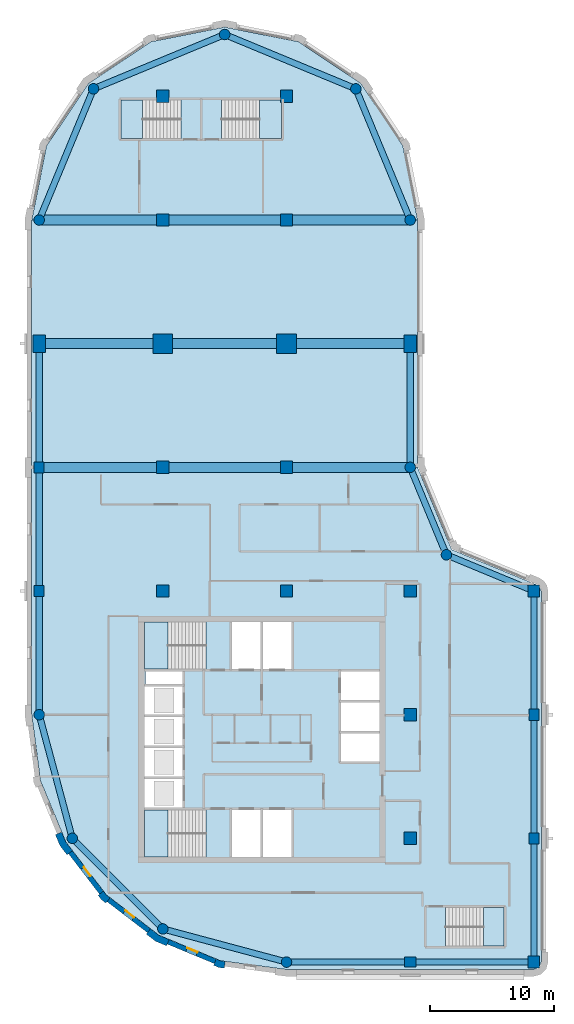
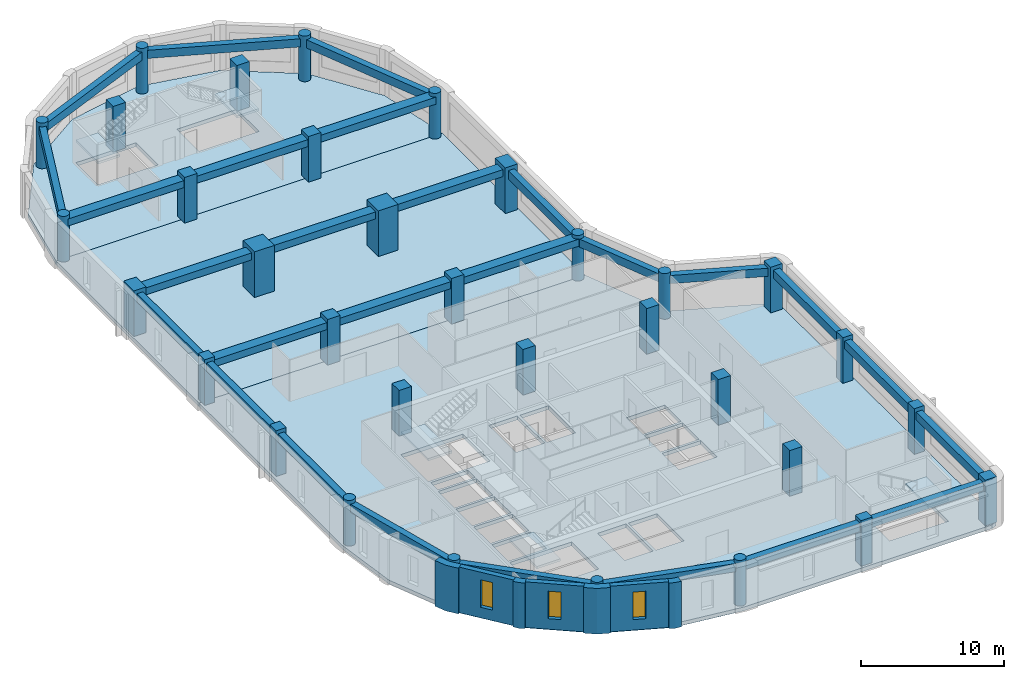
# One storey, part 1 of 8: 33 columns, 27 beams, 8 slabs, 7 walls, 3 windows, 3 openings, 5 elements without a shape of their own.
"""IFC4 building model written with IfcOpenShell, lengths in metres."""

from ifc_helpers import new_model, si_unit, direction, frame, frame_2d, origin, origin_2d, place, context, subcontext, project, spatial, polyline, rectangle, circle, outline, extrude, material, layer, layer_set, material_profile, profile_set, type_object, element, fill, aggregate, save


model = new_model("IFC4")

# Units and contexts
model_context = context("Model", 3, precision=1e-05, world=origin(), true_north=direction((0.0, 1.0)))
body_context = subcontext(model_context, "Body", "Model", "MODEL_VIEW")
ifc_project = project(units=[si_unit("LENGTHUNIT", "METRE"), si_unit("AREAUNIT", "SQUARE_METRE"), si_unit("VOLUMEUNIT", "CUBIC_METRE"), si_unit("PLANEANGLEUNIT", "RADIAN"), si_unit("MASSUNIT", "GRAM", prefix="KILO")], contexts=[model_context])

# Site, building, storey
site_placement = place(None, origin())
site = spatial("IfcSite", under=ifc_project, at=site_placement, CompositionType="ELEMENT")
building_placement = place(site_placement, origin())
building = spatial("IfcBuilding", under=site, at=building_placement, Name="Qaws Garden Tower", CompositionType="ELEMENT")
storey_placement = place(building_placement, frame((0.0, 0.0, 313.800048828125)))
storey = spatial("IfcBuildingStorey", under=building, at=storey_placement, Name="L76", CompositionType="ELEMENT", Elevation=313.800048828125)

# Columns
ifc_material_1 = material(Name="Concrete C60", Category="concrete")
ifc_material_profile_1 = material_profile(ifc_material_1, rectangle(XDim=1.0, YDim=1.0, at=origin_2d()), Name="RC 1000x1000")
ifc_profile_set_1 = profile_set([ifc_material_profile_1], Name="Concrete C60")
column_type_1 = type_object("IfcColumnType", Name="Column RC 1000x1000 C60", PredefinedType="COLUMN", material=ifc_profile_set_1)
for number, where, z_axis, x_axis, name in (
    (1, (10.0, 30.0, 0.0), (0.0, 0.0, 1.0), (1.0, 0.0, 0.0), "Column L76-021"),
    (2, (10.0, 40.0, 0.0), (0.0, 0.0, 1.0), (1.0, 0.0, 0.0), "Column L76-022"),
    (3, (10.0, 60.0, 0.0), (0.0, 0.0, 1.0), (1.0, 0.0, 0.0), "Column L76-024"),
    (4, (10.0, 70.0, 0.0), (0.0, 0.0, 1.0), (1.0, 0.0, 0.0), "Column L76-025"),
    (5, (20.0, 30.0, 0.0), (0.0, 0.0, 1.0), (1.0, 0.0, 0.0), "Column L76-026"),
    (6, (20.0, 40.0, 0.0), (0.0, 0.0, 1.0), (1.0, 0.0, 0.0), "Column L76-027"),
    (7, (20.0, 60.0, 0.0), (0.0, 0.0, 1.0), (1.0, 0.0, 0.0), "Column L76-029"),
    (8, (20.0, 70.0, 0.0), (0.0, 0.0, 1.0), (1.0, 0.0, 0.0), "Column L76-030"),
    (9, (30.0, 10.0, 0.0), (0.0, 0.0, 1.0), (1.0, 0.0, 0.0), "Column L76-031"),
    (10, (30.0, 20.0, 0.0), (0.0, 0.0, 1.0), (1.0, 0.0, 0.0), "Column L76-032"),
    (11, (30.0, 30.0, 0.0), (0.0, 0.0, 1.0), (1.0, 0.0, 0.0), "Column L76-033"),
):
    element("IfcColumn", number, at=place(storey_placement, frame(where, z_axis=z_axis, x_axis=x_axis)), inside=storey, type_object=column_type_1, Name=name, PredefinedType="COLUMN", context=body_context, shape_type="SweptSolid", body=[
        extrude(rectangle(XDim=1.0, YDim=1.0, at=origin_2d()), origin(), (0.0, 0.0, 1.0), 3.89990234375),
    ])
ifc_material_2 = material(Name="Concrete C60", Category="concrete")
ifc_material_profile_2 = material_profile(ifc_material_2, rectangle(XDim=1.39990234375, YDim=1.0, at=origin_2d()), Name="RC 1400x1000")
ifc_profile_set_2 = profile_set([ifc_material_profile_2], Name="Concrete C60")
column_type_2 = type_object("IfcColumnType", Name="Column RC 1400x1000 C60", PredefinedType="COLUMN", material=ifc_profile_set_2)
for number, where, z_axis, x_axis, name in (
    (12, (30.0, 50.0, 0.0), (0.0, 0.0, 1.0), (0.0, 1.0, 0.0), "Column L76-009"),
    (13, (0.0, 50.0, 0.0), (0.0, 0.0, 1.0), (0.0, 1.0, 0.0), "Column L76-015"),
):
    element("IfcColumn", number, at=place(storey_placement, frame(where, z_axis=z_axis, x_axis=x_axis)), inside=storey, type_object=column_type_2, Name=name, PredefinedType="COLUMN", context=body_context, shape_type="SweptSolid", body=[
        extrude(rectangle(XDim=1.39990234375, YDim=1.0, at=origin_2d()), origin(), (0.0, 0.0, 1.0), 3.89990234375),
    ])
ifc_material_3 = material(Name="Concrete C60", Category="concrete")
ifc_material_profile_3 = material_profile(ifc_material_3, rectangle(XDim=1.60009765625, YDim=1.60009765625, at=origin_2d()), Name="RC 1600x1600")
ifc_profile_set_3 = profile_set([ifc_material_profile_3], Name="Concrete C60")
column_type_3 = type_object("IfcColumnType", Name="Column RC 1600x1600 C60", PredefinedType="COLUMN", material=ifc_profile_set_3)
for number, where, z_axis, x_axis, name in (
    (14, (10.0, 50.0, 0.0), (0.0, 0.0, 1.0), (1.0, 0.0, 0.0), "Column L76-023"),
    (15, (20.0, 50.0, 0.0), (0.0, 0.0, 1.0), (1.0, 0.0, 0.0), "Column L76-028"),
):
    element("IfcColumn", number, at=place(storey_placement, frame(where, z_axis=z_axis, x_axis=x_axis)), inside=storey, type_object=column_type_3, Name=name, PredefinedType="COLUMN", context=body_context, shape_type="SweptSolid", body=[
        extrude(rectangle(XDim=1.60009765625, YDim=1.60009765625, at=origin_2d()), origin(), (0.0, 0.0, 1.0), 3.89990234375),
    ])
ifc_material_4 = material(Name="Concrete C60", Category="concrete")
ifc_material_profile_4 = material_profile(ifc_material_4, rectangle(XDim=0.89990234375, YDim=0.800048828125, at=origin_2d()), Name="RC 900x800")
ifc_profile_set_4 = profile_set([ifc_material_profile_4], Name="Concrete C60")
column_type_4 = type_object("IfcColumnType", Name="Column RC 900x800 C60", PredefinedType="COLUMN", material=ifc_profile_set_4)
for number, where, z_axis, x_axis, name in (
    (16, (30.0, 0.0, 0.0), (0.0, 0.0, 1.0), (1.0, 0.0, 0.0), "Column L76-002"),
    (17, (40.0, 10.0, 0.0), (0.0, 0.0, 1.0), (0.0, 1.0, 0.0), "Column L76-004"),
    (18, (40.0, 20.0, 0.0), (0.0, 0.0, 1.0), (0.0, 1.0, 0.0), "Column L76-005"),
    (19, (0.0, 40.0, 0.0), (0.0, 0.0, 1.0), (0.0, 1.0, 0.0), "Column L76-016"),
    (20, (0.0, 30.0, 0.0), (0.0, 0.0, 1.0), (0.0, 1.0, 0.0), "Column L76-017"),
):
    element("IfcColumn", number, at=place(storey_placement, frame(where, z_axis=z_axis, x_axis=x_axis)), inside=storey, type_object=column_type_4, Name=name, PredefinedType="COLUMN", context=body_context, shape_type="SweptSolid", body=[
        extrude(rectangle(XDim=0.89990234375, YDim=0.800048828125, at=origin_2d()), origin(), (0.0, 0.0, 1.0), 3.89990234375),
    ])
ifc_material_5 = material(Name="Concrete C60", Category="concrete")
ifc_material_profile_5 = material_profile(ifc_material_5, rectangle(XDim=0.949951171875, YDim=0.949951171875, at=origin_2d()), Name="RC 950x950")
ifc_profile_set_5 = profile_set([ifc_material_profile_5], Name="Concrete C60")
column_type_5 = type_object("IfcColumnType", Name="Column RC 950x950 C60", PredefinedType="COLUMN", material=ifc_profile_set_5)
for number, where, z_axis, x_axis, name in (
    (21, (40.0, 0.0, 0.0), (0.0, 0.0, 1.0), (1.0, 0.0, 0.0), "Column L76-003"),
    (22, (40.0, 30.0, 0.0), (0.0, 0.0, 1.0), (1.0, 0.0, 0.0), "Column L76-006"),
):
    element("IfcColumn", number, at=place(storey_placement, frame(where, z_axis=z_axis, x_axis=x_axis)), inside=storey, type_object=column_type_5, Name=name, PredefinedType="COLUMN", context=body_context, shape_type="SweptSolid", body=[
        extrude(rectangle(XDim=0.949951171875, YDim=0.949951171875, at=origin_2d()), origin(), (0.0, 0.0, 1.0), 3.89990234375),
    ])
ifc_material_6 = material(Name="Concrete C60", Category="concrete")
ifc_material_profile_6 = material_profile(ifc_material_6, circle(Radius=0.425048828125, at=origin_2d()), Name="RC D850")
ifc_profile_set_6 = profile_set([ifc_material_profile_6], Name="Concrete C60")
column_type_6 = type_object("IfcColumnType", Name="Column RC D850 C60", PredefinedType="COLUMN", material=ifc_profile_set_6)
for number, where, z_axis, x_axis, name in (
    (23, (20.0, 0.0, 0.0), (0.0, 0.0, 1.0), (1.0, 0.0, 0.0), "Column L76-001"),
    (24, (32.928955078125, 32.928955078125, 0.0), (0.0, 0.0, 1.0), (1.0, 0.0, 0.0), "Column L76-007"),
    (25, (30.0, 40.0, 0.0), (0.0, 0.0, 1.0), (1.0, 0.0, 0.0), "Column L76-008"),
    (26, (30.0, 60.0, 0.0), (0.0, 0.0, 1.0), (1.0, 0.0, 0.0), "Column L76-010"),
    (27, (25.606689453125, 70.606689453125, 0.0), (0.0, 0.0, 1.0), (1.0, 0.0, 0.0), "Column L76-011"),
    (28, (15.0, 75.0, 0.0), (0.0, 0.0, 1.0), (1.0, 0.0, 0.0), "Column L76-012"),
    (29, (4.393310546875, 70.606689453125, 0.0), (0.0, 0.0, 1.0), (1.0, 0.0, 0.0), "Column L76-013"),
    (30, (0.0, 60.0, 0.0), (0.0, 0.0, 1.0), (1.0, 0.0, 0.0), "Column L76-014"),
    (31, (0.0, 20.0, 0.0), (0.0, 0.0, 1.0), (1.0, 0.0, 0.0), "Column L76-018"),
    (32, (2.679443359375, 10.0, 0.0), (0.0, 0.0, 1.0), (1.0, 0.0, 0.0), "Column L76-019"),
    (33, (10.0, 2.679443359375, 0.0), (0.0, 0.0, 1.0), (1.0, 0.0, 0.0), "Column L76-020"),
):
    element("IfcColumn", number, at=place(storey_placement, frame(where, z_axis=z_axis, x_axis=x_axis)), inside=storey, type_object=column_type_6, Name=name, PredefinedType="COLUMN", context=body_context, shape_type="SweptSolid", body=[
        extrude(circle(Radius=0.425048828125, at=origin_2d()), origin(), (0.0, 0.0, 1.0), 3.89990234375),
    ])

# Beams
ifc_material_7 = material(Name="Concrete C45", Category="concrete")
ifc_material_profile_7 = material_profile(ifc_material_7, rectangle(XDim=0.800048828125, YDim=0.60009765625, at=origin_2d()), Name="RC 800x600")
ifc_profile_set_7 = profile_set([ifc_material_profile_7], Name="Concrete C45")
beam_type_1 = type_object("IfcBeamType", Name="Portal edge beam RC 800x600 C45", PredefinedType="BEAM", material=ifc_profile_set_7)
for number, where, z_axis, x_axis, name in (
    (34, (0.0, 40.0, 3.280029296875), (1.0, 0.0, 0.0), (0.0, 1.0, 0.0), "Portal edge beam L76-1"),
    (35, (10.0, 40.0, 3.280029296875), (1.0, 0.0, 0.0), (0.0, 1.0, 0.0), "Portal edge beam L76-2"),
    (36, (20.0, 40.0, 3.280029296875), (1.0, 0.0, 0.0), (0.0, 1.0, 0.0), "Portal edge beam L76-3"),
    (37, (0.0, 50.0, 3.280029296875), (1.0, 0.0, 0.0), (0.0, 1.0, 0.0), "Portal tie beam L76-4"),
    (38, (10.0, 50.0, 3.280029296875), (1.0, 0.0, 0.0), (0.0, 1.0, 0.0), "Portal tie beam L76-5"),
    (39, (20.0, 50.0, 3.280029296875), (1.0, 0.0, 0.0), (0.0, 1.0, 0.0), "Portal tie beam L76-6"),
    (40, (0.0, 60.0, 3.280029296875), (1.0, 0.0, 0.0), (0.0, 1.0, 0.0), "Portal edge beam L76-7"),
    (41, (10.0, 60.0, 3.280029296875), (1.0, 0.0, 0.0), (0.0, 1.0, 0.0), "Portal edge beam L76-8"),
    (42, (20.0, 60.0, 3.280029296875), (1.0, 0.0, 0.0), (0.0, 1.0, 0.0), "Portal edge beam L76-9"),
):
    element("IfcBeam", number, at=place(storey_placement, frame(where, z_axis=z_axis, x_axis=x_axis)), inside=storey, type_object=beam_type_1, Name=name, PredefinedType="BEAM", context=body_context, shape_type="SweptSolid", body=[
        extrude(rectangle(XDim=0.800048828125, YDim=0.60009765625, at=origin_2d()), origin(), (0.0, 0.0, 1.0), 10.0),
    ])
ifc_material_8 = material(Name="Concrete C45", Category="concrete")
ifc_material_profile_8 = material_profile(ifc_material_8, rectangle(XDim=0.5, YDim=0.699951171875, at=origin_2d()), Name="RC 500x700")
ifc_profile_set_8 = profile_set([ifc_material_profile_8], Name="Concrete C45")
beam_type_2 = type_object("IfcBeamType", Name="Spandrel beam RC 500x700 C45", PredefinedType="SPANDREL", material=ifc_profile_set_8)
for number, where, z_axis, x_axis, name in (
    (43, (20.0, 0.0, 3.22998046875), (1.0, 0.0, 0.0), (0.0, 1.0, 0.0), "Spandrel beam L76-001"),
    (44, (30.0, 0.0, 3.22998046875), (1.0, 0.0, 0.0), (0.0, 1.0, 0.0), "Spandrel beam L76-002"),
    (45, (40.0, 0.0, 3.22998046875), (0.0, 1.0, 0.0), (-1.0, 0.0, 0.0), "Spandrel beam L76-003"),
    (46, (40.0, 10.0, 3.22998046875), (0.0, 1.0, 0.0), (-1.0, 0.0, 0.0), "Spandrel beam L76-004"),
    (47, (40.0, 20.0, 3.22998046875), (0.0, 1.0, 0.0), (-1.0, 0.0, 0.0), "Spandrel beam L76-005"),
):
    element("IfcBeam", number, at=place(storey_placement, frame(where, z_axis=z_axis, x_axis=x_axis)), inside=storey, type_object=beam_type_2, Name=name, PredefinedType="SPANDREL", context=body_context, shape_type="SweptSolid", body=[
        extrude(rectangle(XDim=0.5, YDim=0.699951171875, at=origin_2d()), origin(), (0.0, 0.0, 1.0), 10.0),
    ])
for number, where, z_axis, x_axis, name in (
    (48, (40.0, 30.0, 3.22998046875), (-0.923878037141, 0.382687042488, 0.0), (-0.382687042488, -0.923878037141, 0.0), "Spandrel beam L76-006"),
    (49, (32.928955078125, 32.928955078125, 3.22998046875), (-0.382687042488, 0.923878037141, 0.0), (-0.923878037141, -0.382687042488, 0.0), "Spandrel beam L76-007"),
):
    element("IfcBeam", number, at=place(storey_placement, frame(where, z_axis=z_axis, x_axis=x_axis)), inside=storey, type_object=beam_type_2, Name=name, PredefinedType="SPANDREL", context=body_context, shape_type="SweptSolid", body=[
        extrude(rectangle(XDim=0.5, YDim=0.699951171875, at=origin_2d()), origin(), (0.0, 0.0, 1.0), 7.653564453125),
    ])
beam_placement = place(storey_placement, frame((30.0, 40.0, 3.22998046875), z_axis=(0.0, 1.0, 0.0), x_axis=(-1.0, 0.0, 0.0)))
element("IfcBeam", 50, at=beam_placement, inside=storey, type_object=beam_type_2, Name="Spandrel beam L76-008", PredefinedType="SPANDREL", context=body_context, shape_type="SweptSolid", body=[
    extrude(rectangle(XDim=0.5, YDim=0.699951171875, at=origin_2d()), origin(), (0.0, 0.0, 1.0), 10.0),
])
for number, where, z_axis, x_axis, name in (
    (51, (30.0, 60.0, 3.22998046875), (-0.382674207535, 0.923883353507, 0.0), (-0.923883353507, -0.382674207535, 0.0), "Spandrel beam L76-009"),
    (52, (25.606689453125, 70.606689453125, 3.22998046875), (-0.923883353507, 0.382674207535, 0.0), (-0.382674207535, -0.923883353507, 0.0), "Spandrel beam L76-010"),
    (53, (15.0, 75.0, 3.22998046875), (-0.923883353507, -0.382674207535, 0.0), (0.382674207535, -0.923883353507, 0.0), "Spandrel beam L76-011"),
    (54, (4.393310546875, 70.606689453125, 3.22998046875), (-0.382674207535, -0.923883353507, 0.0), (0.923883353507, -0.382674207535, 0.0), "Spandrel beam L76-012"),
):
    element("IfcBeam", number, at=place(storey_placement, frame(where, z_axis=z_axis, x_axis=x_axis)), inside=storey, type_object=beam_type_2, Name=name, PredefinedType="SPANDREL", context=body_context, shape_type="SweptSolid", body=[
        extrude(rectangle(XDim=0.5, YDim=0.699951171875, at=origin_2d()), origin(), (0.0, 0.0, 1.0), 11.48046875),
    ])
for number, where, z_axis, x_axis, name in (
    (55, (0.0, 50.0, 3.22998046875), (0.0, -1.0, 0.0), (1.0, 0.0, 0.0), "Spandrel beam L76-013"),
    (56, (0.0, 40.0, 3.22998046875), (0.0, -1.0, 0.0), (1.0, 0.0, 0.0), "Spandrel beam L76-014"),
    (57, (0.0, 30.0, 3.22998046875), (0.0, -1.0, 0.0), (1.0, 0.0, 0.0), "Spandrel beam L76-015"),
):
    element("IfcBeam", number, at=place(storey_placement, frame(where, z_axis=z_axis, x_axis=x_axis)), inside=storey, type_object=beam_type_2, Name=name, PredefinedType="SPANDREL", context=body_context, shape_type="SweptSolid", body=[
        extrude(rectangle(XDim=0.5, YDim=0.699951171875, at=origin_2d()), origin(), (0.0, 0.0, 1.0), 10.0),
    ])
for number, where, z_axis, x_axis, name in (
    (58, (0.0, 20.0, 3.22998046875), (0.25881466832, -0.965926999034, 0.0), (0.965926999034, 0.25881466832, 0.0), "Spandrel beam L76-016"),
    (59, (2.679443359375, 10.0, 3.22998046875), (0.707106781187, -0.707106781187, 0.0), (0.707106781187, 0.707106781187, 0.0), "Spandrel beam L76-017"),
    (60, (10.0, 2.679443359375, 3.22998046875), (0.965926999034, -0.25881466832, 0.0), (0.25881466832, 0.965926999034, 0.0), "Spandrel beam L76-018"),
):
    element("IfcBeam", number, at=place(storey_placement, frame(where, z_axis=z_axis, x_axis=x_axis)), inside=storey, type_object=beam_type_2, Name=name, PredefinedType="SPANDREL", context=body_context, shape_type="SweptSolid", body=[
        extrude(rectangle(XDim=0.5, YDim=0.699951171875, at=origin_2d()), origin(), (0.0, 0.0, 1.0), 10.352783203125),
    ])

# Slabs
ifc_material_9 = material(Name="Concrete C40", Category="concrete")
ifc_layer_1 = layer(ifc_material_9, 0.320068359375)
ifc_layer_set_1 = layer_set([ifc_layer_1], Name="Concrete C40")
slab_type_1 = type_object("IfcSlabType", Name="Floor slab 320 C40", PredefinedType="FLOOR", material=ifc_layer_set_1)
placement_1 = place(storey_placement, frame((0.0, 0.0, -0.320068359375)))
element("IfcSlab", 61, at=placement_1, inside=storey, type_object=slab_type_1, Name="Floor slab L76", PredefinedType="FLOOR", context=body_context, shape_type="SweptSolid", body=[
    extrude(outline(polyline([(-0.60009765625, 20.0), (-0.60009765625, 30.60009765625), (-0.60009765625, 40.0), (30.60009765625, 40.0), (33.353271484375, 33.353271484375), (40.0, 30.60009765625), (40.42431640625, 30.42431640625), (40.60009765625, 30.0), (40.60009765625, 0.0), (40.42431640625, -0.42431640625), (40.0, -0.60009765625), (30.60009765625, -0.60009765625), (20.0, -0.60009765625), (14.668212890625, 0.101806640625), (9.699951171875, 2.159912109375), (5.43359375, 5.43359375), (2.159912109375, 9.699951171875), (0.101806640625, 14.668212890625), (-0.60009765625, 20.0)]), holes=[polyline([(13.49951171875, 12.300048828125), (8.5, 12.300048828125), (8.5, 8.5), (13.49951171875, 8.5), (13.49951171875, 12.300048828125)]), polyline([(17.89990234375, 12.300048828125), (15.60009765625, 12.300048828125), (15.60009765625, 8.5), (17.89990234375, 8.5), (17.89990234375, 12.300048828125)]), polyline([(11.60009765625, 14.800048828125), (8.5, 14.800048828125), (8.5, 12.5), (11.60009765625, 12.5), (11.60009765625, 14.800048828125)]), polyline([(11.60009765625, 17.300048828125), (8.5, 17.300048828125), (8.5, 15.0), (11.60009765625, 15.0), (11.60009765625, 17.300048828125)]), polyline([(11.60009765625, 19.800048828125), (8.5, 19.800048828125), (8.5, 17.5), (11.60009765625, 17.5), (11.60009765625, 19.800048828125)]), polyline([(11.60009765625, 22.300048828125), (8.5, 22.300048828125), (8.5, 20.0), (11.60009765625, 20.0), (11.60009765625, 22.300048828125)]), polyline([(11.60009765625, 23.5), (8.60009765625, 23.5), (8.60009765625, 22.5), (11.60009765625, 22.5), (11.60009765625, 23.5)]), polyline([(13.49951171875, 27.5), (8.5, 27.5), (8.5, 23.699951171875), (13.49951171875, 23.699951171875), (13.49951171875, 27.5)]), polyline([(37.60009765625, 4.39990234375), (32.8505859375, 4.39990234375), (32.8505859375, 1.300048828125), (37.60009765625, 1.300048828125), (37.60009765625, 4.39990234375)]), polyline([(20.39990234375, 12.300048828125), (18.10009765625, 12.300048828125), (18.10009765625, 8.5), (20.39990234375, 8.5), (20.39990234375, 12.300048828125)]), polyline([(27.5, 18.5), (24.39990234375, 18.5), (24.39990234375, 16.199951171875), (27.5, 16.199951171875), (27.5, 18.5)]), polyline([(27.5, 21.0), (24.39990234375, 21.0), (24.39990234375, 18.699951171875), (27.5, 18.699951171875), (27.5, 21.0)]), polyline([(27.5, 23.5), (24.39990234375, 23.5), (24.39990234375, 21.199951171875), (27.5, 21.199951171875), (27.5, 23.5)]), polyline([(17.89990234375, 27.5), (15.60009765625, 27.5), (15.60009765625, 23.699951171875), (17.89990234375, 23.699951171875), (17.89990234375, 27.5)]), polyline([(20.39990234375, 23.699951171875), (20.39990234375, 27.5), (18.10009765625, 27.5), (18.10009765625, 23.699951171875), (20.39990234375, 23.699951171875)])]), origin(), (0.0, 0.0, 1.0), 0.320068359375),
])
element("IfcSlab", 62, at=placement_1, inside=storey, type_object=slab_type_1, Name="Floor slab L76", PredefinedType="FLOOR", context=body_context, shape_type="SweptSolid", body=[
    extrude(outline(polyline([(3.968994140625, 71.031005859375), (9.030029296875, 74.41259765625), (15.0, 75.60009765625), (20.969970703125, 74.41259765625), (26.031005859375, 71.031005859375), (29.41259765625, 65.969970703125), (30.60009765625, 60.0), (-0.60009765625, 60.0), (0.58740234375, 65.969970703125), (3.968994140625, 71.031005859375)]), holes=[polyline([(11.449462890625, 69.699951171875), (6.60009765625, 69.699951171875), (6.60009765625, 66.60009765625), (11.449462890625, 66.60009765625), (11.449462890625, 69.699951171875)]), polyline([(19.60009765625, 66.60009765625), (19.60009765625, 69.699951171875), (14.75048828125, 69.699951171875), (14.75048828125, 66.60009765625), (19.60009765625, 66.60009765625)])]), origin(), (0.0, 0.0, 1.0), 0.320068359375),
])

# Stair, slab
ifc_material_10 = material(Name="Concrete C40", Category="concrete")
stair_type_1 = type_object("IfcStairType", Name="Exit stair 1500", PredefinedType="HALF_TURN_STAIR", material=ifc_material_10)
placement_2 = place(storey_placement, origin())
stair_1 = element("IfcStair", 63, at=placement_2, inside=storey, type_object=stair_type_1, Name="Stair 1", PredefinedType="HALF_TURN_STAIR")
ifc_material_11 = material(Name="Concrete C40", Category="concrete")
ifc_layer_2 = layer(ifc_material_11, 0.199951171875)
ifc_layer_set_2 = layer_set([ifc_layer_2], Name="Concrete C40")
slab_type_2 = type_object("IfcSlabType", Name="Stair landing 200", PredefinedType="LANDING", material=ifc_layer_set_2)
placement_3 = place(storey_placement, frame((0.0, 0.0, 1.75)))
slab_3 = element("IfcSlab", 64, at=placement_3, type_object=slab_type_2, Name="ST1 landing 1", PredefinedType="LANDING", context=body_context, shape_type="SweptSolid", body=[
    extrude(outline(polyline([(8.5, 8.5), (10.419921875, 8.5), (10.419921875, 12.300048828125), (8.5, 12.300048828125), (8.5, 8.5)])), origin(), (0.0, 0.0, 1.0), 0.199951171875),
])
aggregate(stair_1, [slab_3])

stair_2 = element("IfcStair", 65, at=placement_2, inside=storey, type_object=stair_type_1, Name="Stair 4", PredefinedType="HALF_TURN_STAIR")
slab_4 = element("IfcSlab", 66, at=placement_3, type_object=slab_type_2, Name="ST4 landing 1", PredefinedType="LANDING", context=body_context, shape_type="SweptSolid", body=[
    extrude(outline(polyline([(8.5, 23.699951171875), (10.419921875, 23.699951171875), (10.419921875, 27.5), (8.5, 27.5), (8.5, 23.699951171875)])), origin(), (0.0, 0.0, 1.0), 0.199951171875),
])
aggregate(stair_2, [slab_4])

ifc_material_12 = material(Name="Concrete C40", Category="concrete")
stair_type_2 = type_object("IfcStairType", Name="Exit stair 1350", PredefinedType="HALF_TURN_STAIR", material=ifc_material_12)
stair_3 = element("IfcStair", 67, at=placement_2, inside=storey, type_object=stair_type_2, Name="Stair 5", PredefinedType="HALF_TURN_STAIR")
slab_5 = element("IfcSlab", 68, at=placement_3, type_object=slab_type_2, Name="ST5 landing 1", PredefinedType="LANDING", context=body_context, shape_type="SweptSolid", body=[
    extrude(outline(polyline([(35.929931640625, 1.300048828125), (37.60009765625, 1.300048828125), (37.60009765625, 4.39990234375), (35.929931640625, 4.39990234375), (35.929931640625, 1.300048828125)])), origin(), (0.0, 0.0, 1.0), 0.199951171875),
])
aggregate(stair_3, [slab_5])

stair_4 = element("IfcStair", 69, at=placement_2, inside=storey, type_object=stair_type_2, Name="Stair 6", PredefinedType="HALF_TURN_STAIR")
slab_6 = element("IfcSlab", 70, at=placement_3, type_object=slab_type_2, Name="ST6 landing 1", PredefinedType="LANDING", context=body_context, shape_type="SweptSolid", body=[
    extrude(outline(polyline([(6.60009765625, 66.60009765625), (8.3701171875, 66.60009765625), (8.3701171875, 69.699951171875), (6.60009765625, 69.699951171875), (6.60009765625, 66.60009765625)])), origin(), (0.0, 0.0, 1.0), 0.199951171875),
])
aggregate(stair_4, [slab_6])

stair_5 = element("IfcStair", 71, at=placement_2, inside=storey, type_object=stair_type_2, Name="Stair 7", PredefinedType="HALF_TURN_STAIR")
slab_7 = element("IfcSlab", 72, at=placement_3, type_object=slab_type_2, Name="ST7 landing 1", PredefinedType="LANDING", context=body_context, shape_type="SweptSolid", body=[
    extrude(outline(polyline([(17.830078125, 66.60009765625), (19.60009765625, 66.60009765625), (19.60009765625, 69.699951171875), (17.830078125, 69.699951171875), (17.830078125, 66.60009765625)])), origin(), (0.0, 0.0, 1.0), 0.199951171875),
])
aggregate(stair_5, [slab_7])

# Slab
ifc_material_13 = material(Name="Concrete C40", Category="concrete")
ifc_layer_3 = layer(ifc_material_13, 0.320068359375)
ifc_layer_set_3 = layer_set([ifc_layer_3], Name="Concrete C40")
slab_type_3 = type_object("IfcSlabType", Name="Terrace slab 320 C40", PredefinedType="FLOOR", material=ifc_layer_set_3)
element("IfcSlab", 73, at=placement_1, inside=storey, type_object=slab_type_3, Name="Portal terrace slab L76", PredefinedType="FLOOR", context=body_context, shape_type="SweptSolid", body=[
    extrude(outline(polyline([(-0.60009765625, 60.0), (-0.60009765625, 60.0), (30.60009765625, 60.0), (30.60009765625, 40.0), (-0.60009765625, 40.0), (-0.60009765625, 60.0)])), origin(), (0.0, 0.0, 1.0), 0.320068359375),
])

# Wall, opening, window
ifc_material_14 = material(Name="Clay facing brick masonry", Category="masonry")
ifc_layer_4 = layer(ifc_material_14, 0.39990234375)
ifc_layer_set_4 = layer_set([ifc_layer_4], Name="Clay facing brick masonry")
wall_type_1 = type_object("IfcWallType", Name="Brick infill wall 400", PredefinedType="SOLIDWALL", material=ifc_layer_set_4)
wall_1_placement = place(storey_placement, frame((2.53173828125, 8.87841796875, 0.0), z_axis=(0.0, 0.0, 1.0), x_axis=(0.608759824817, -0.793354571229, 0.0)))
wall_1 = element("IfcWall", 74, at=wall_1_placement, inside=storey, type_object=wall_type_1, Name="E-L76-infill-23", PredefinedType="SOLIDWALL", context=body_context, shape_type="SweptSolid", body=[
    extrude(rectangle(XDim=4.12109375, YDim=0.39990234375, at=frame_2d((2.060546875, 0.0))), origin(), (0.0, 0.0, 1.0), 3.89990234375),
])
opening_1_placement = place(wall_1_placement, frame((1.610595703125, 0.0, 0.89990234375)))
opening_1 = element("IfcOpeningElement", 75, at=opening_1_placement, cuts=wall_1, Name="Opening W09", PredefinedType="OPENING", context=body_context, shape_type="SweptSolid", body=[
    extrude(rectangle(XDim=0.89990234375, YDim=2.35009765625, at=frame_2d((0.449951171875, 1.175048828125))), frame((0.0, 0.2099609375, 0.0), z_axis=(0.0, -1.0, 0.0), x_axis=(1.0, 0.0, 0.0)), (0.0, 0.0, 1.0), 0.419921875),
])
ifc_material_15 = material(Name="Aluminium framed window, clear glazing", Category="aluminium")
window_type = type_object("IfcWindowType", Name="Slit window 900 x 2350", PartitioningType="SINGLE_PANEL", PredefinedType="WINDOW", material=ifc_material_15)
window_1_placement = place(opening_1_placement, origin())
window_1 = element("IfcWindow", 76, at=window_1_placement, inside=storey, type_object=window_type, Name="E-L76-window-23-0", OverallHeight=2.35009765625, OverallWidth=0.89990234375, PartitioningType="SINGLE_PANEL", PredefinedType="WINDOW", context=body_context, shape_type="SweptSolid", body=[
    extrude(rectangle(XDim=0.89990234375, YDim=2.35009765625, at=frame_2d((0.449951171875, 1.175048828125))), frame((0.0, 0.159912109375, 0.0), z_axis=(0.0, -1.0, 0.0), x_axis=(1.0, 0.0, 0.0)), (0.0, 0.0, 1.0), 0.06005859375),
])
fill(opening_1, window_1)

wall_2_placement = place(storey_placement, frame((5.60888671875, 5.04052734375, 0.0), z_axis=(0.0, 0.0, 1.0), x_axis=(0.793354571229, -0.608759824817, 0.0)))
wall_2 = element("IfcWall", 77, at=wall_2_placement, inside=storey, type_object=wall_type_1, Name="E-L76-infill-24", PredefinedType="SOLIDWALL", context=body_context, shape_type="SweptSolid", body=[
    extrude(rectangle(XDim=4.12109375, YDim=0.39990234375, at=frame_2d((2.060546875, 0.0))), origin(), (0.0, 0.0, 1.0), 3.89990234375),
])
opening_2_placement = place(wall_2_placement, frame((1.610595703125, 0.0, 0.89990234375)))
opening_2 = element("IfcOpeningElement", 78, at=opening_2_placement, cuts=wall_2, Name="Opening W09", PredefinedType="OPENING", context=body_context, shape_type="SweptSolid", body=[
    extrude(rectangle(XDim=0.89990234375, YDim=2.35009765625, at=frame_2d((0.449951171875, 1.175048828125))), frame((0.0, 0.2099609375, 0.0), z_axis=(0.0, -1.0, 0.0), x_axis=(1.0, 0.0, 0.0)), (0.0, 0.0, 1.0), 0.419921875),
])
window_2_placement = place(opening_2_placement, origin())
window_2 = element("IfcWindow", 79, at=window_2_placement, inside=storey, type_object=window_type, Name="E-L76-window-24-0", OverallHeight=2.35009765625, OverallWidth=0.89990234375, PartitioningType="SINGLE_PANEL", PredefinedType="WINDOW", context=body_context, shape_type="SweptSolid", body=[
    extrude(rectangle(XDim=0.89990234375, YDim=2.35009765625, at=frame_2d((0.449951171875, 1.175048828125))), frame((0.0, 0.159912109375, 0.0), z_axis=(0.0, -1.0, 0.0), x_axis=(1.0, 0.0, 0.0)), (0.0, 0.0, 1.0), 0.06005859375),
])
fill(opening_2, window_2)

wall_3_placement = place(storey_placement, frame((10.43310546875, 1.63427734375, 0.0), z_axis=(0.0, 0.0, 1.0), x_axis=(0.923863744394, -0.382721546029, 0.0)))
wall_3 = element("IfcWall", 80, at=wall_3_placement, inside=storey, type_object=wall_type_1, Name="E-L76-infill-25", PredefinedType="SOLIDWALL", context=body_context, shape_type="SweptSolid", body=[
    extrude(rectangle(XDim=4.120849609375, YDim=0.39990234375, at=frame_2d((2.060546875, 0.0))), origin(), (0.0, 0.0, 1.0), 3.89990234375),
])
opening_3_placement = place(wall_3_placement, frame((1.610595703125, 0.0, 0.89990234375)))
opening_3 = element("IfcOpeningElement", 81, at=opening_3_placement, cuts=wall_3, Name="Opening W09", PredefinedType="OPENING", context=body_context, shape_type="SweptSolid", body=[
    extrude(rectangle(XDim=0.89990234375, YDim=2.35009765625, at=frame_2d((0.449951171875, 1.175048828125))), frame((0.0, 0.2099609375, 0.0), z_axis=(0.0, -1.0, 0.0), x_axis=(1.0, 0.0, 0.0)), (0.0, 0.0, 1.0), 0.419921875),
])
window_3_placement = place(opening_3_placement, origin())
window_3 = element("IfcWindow", 82, at=window_3_placement, inside=storey, type_object=window_type, Name="E-L76-window-25-0", OverallHeight=2.35009765625, OverallWidth=0.89990234375, PartitioningType="SINGLE_PANEL", PredefinedType="WINDOW", context=body_context, shape_type="SweptSolid", body=[
    extrude(rectangle(XDim=0.89990234375, YDim=2.35009765625, at=frame_2d((0.449951171875, 1.175048828125))), frame((0.0, 0.159912109375, 0.0), z_axis=(0.0, -1.0, 0.0), x_axis=(1.0, 0.0, 0.0)), (0.0, 0.0, 1.0), 0.06005859375),
])
fill(opening_3, window_3)

# Walls
ifc_material_16 = material(Name="Clay facing brick masonry", Category="masonry")
ifc_layer_5 = layer(ifc_material_16, 0.550048828125)
ifc_layer_set_5 = layer_set([ifc_layer_5], Name="Clay facing brick masonry")
wall_type_2 = type_object("IfcWallType", Name="Brick kink pier 550 x 600", PredefinedType="SOLIDWALL", material=ifc_layer_set_5)
element("IfcWall", 83, at=placement_2, inside=storey, type_object=wall_type_2, Name="E-L76-pier-24", PredefinedType="SOLIDWALL", context=body_context, shape_type="SweptSolid", body=[
    extrude(outline(polyline([(4.8818359375, 5.487060546875), (4.762939453125, 5.395751953125), (5.03759765625, 5.03759765625), (5.395751953125, 4.762939453125), (5.487060546875, 4.8818359375), (5.730712890625, 5.19921875), (5.429931640625, 5.429931640625), (5.19921875, 5.730712890625), (4.8818359375, 5.487060546875)])), origin(), (0.0, 0.0, 1.0), 3.89990234375),
])
element("IfcWall", 84, at=placement_2, inside=storey, type_object=wall_type_2, Name="E-L76-pier-26", PredefinedType="SOLIDWALL", context=body_context, shape_type="SweptSolid", body=[
    extrude(outline(polyline([(14.163818359375, -0.127685546875), (14.1064453125, -0.26611328125), (14.5234375, -0.43896484375), (14.970947265625, -0.497802734375), (14.990478515625, -0.34912109375), (15.042724609375, 0.04736328125), (14.6669921875, 0.096923828125), (14.31689453125, 0.241943359375), (14.163818359375, -0.127685546875)])), origin(), (0.0, 0.0, 1.0), 3.89990234375),
])
ifc_material_17 = material(Name="Clay facing brick masonry", Category="masonry")
ifc_layer_6 = layer(ifc_material_17, 0.550048828125)
ifc_layer_set_6 = layer_set([ifc_layer_6], Name="Clay facing brick masonry")
wall_type_3 = type_object("IfcWallType", Name="Brick pier 550 x 1600", PredefinedType="SOLIDWALL", material=ifc_layer_set_6)
element("IfcWall", 85, at=placement_2, inside=storey, type_object=wall_type_3, Name="E-L76-pier-23", PredefinedType="SOLIDWALL", context=body_context, shape_type="SweptSolid", body=[
    extrude(outline(polyline([(1.449462890625, 10.3564453125), (1.310791015625, 10.299072265625), (1.675048828125, 9.419921875), (2.254150390625, 8.665283203125), (2.373046875, 8.756591796875), (2.6904296875, 9.0), (2.1552734375, 9.697509765625), (1.819091796875, 10.509521484375), (1.449462890625, 10.3564453125)])), origin(), (0.0, 0.0, 1.0), 3.89990234375),
])
element("IfcWall", 86, at=placement_2, inside=storey, type_object=wall_type_3, Name="E-L76-pier-25", PredefinedType="SOLIDWALL", context=body_context, shape_type="SweptSolid", body=[
    extrude(outline(polyline([(8.756591796875, 2.373046875), (8.665283203125, 2.254150390625), (9.419921875, 1.675048828125), (10.299072265625, 1.310791015625), (10.3564453125, 1.449462890625), (10.509521484375, 1.819091796875), (9.697509765625, 2.1552734375), (9.0, 2.6904296875), (8.756591796875, 2.373046875)])), origin(), (0.0, 0.0, 1.0), 3.89990234375),
])

save(model, "model.ifc")
